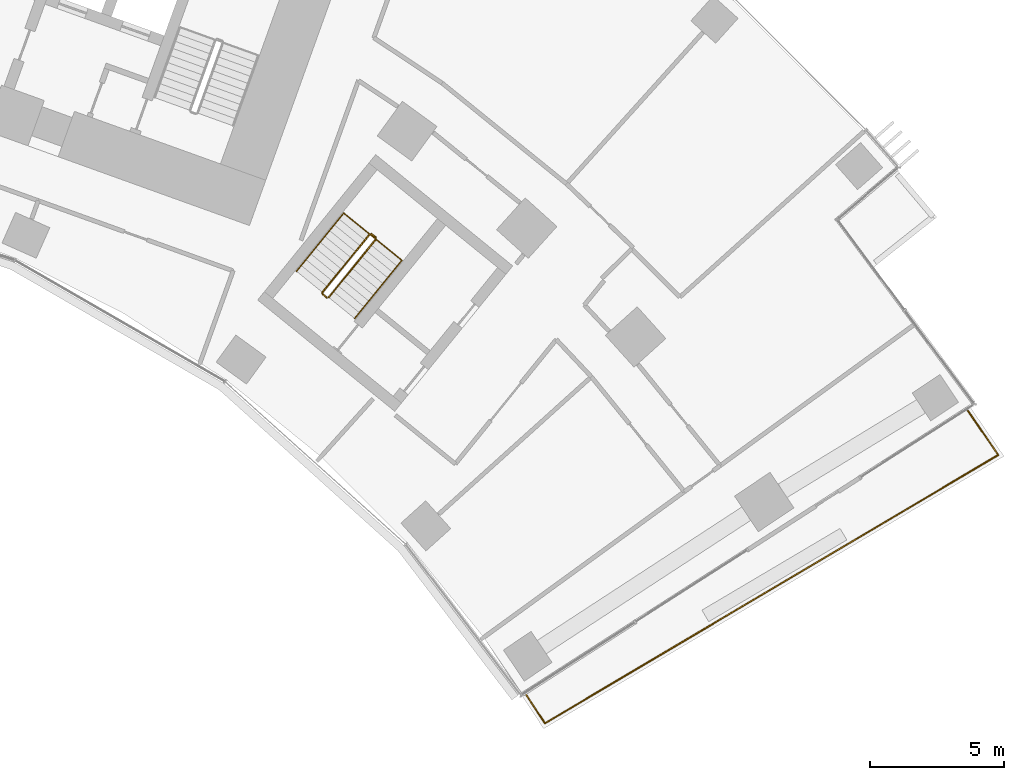
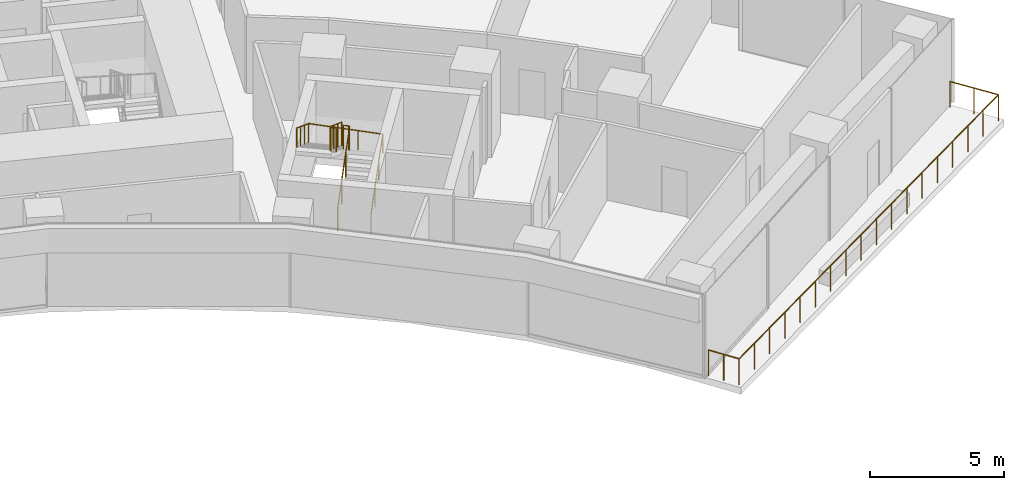
# One storey, part 21 of 21: 4 railings.
"""IFC4 building model written with IfcOpenShell, lengths in metres."""

from ifc_helpers import new_model, si_unit, direction, frame, origin, origin_2d, place, context, subcontext, project, spatial, circle, extrude, material, type_object, element, save


model = new_model("IFC4")

# Units and contexts
model_context = context("Model", 3, precision=1e-05, world=origin(), true_north=direction((0.0, 1.0)))
body_context = subcontext(model_context, "Body", "Model", "MODEL_VIEW")
ifc_project = project(units=[si_unit("LENGTHUNIT", "METRE"), si_unit("AREAUNIT", "SQUARE_METRE"), si_unit("VOLUMEUNIT", "CUBIC_METRE"), si_unit("PLANEANGLEUNIT", "RADIAN"), si_unit("MASSUNIT", "GRAM", prefix="KILO")], contexts=[model_context])

# Site, building, storey
site_placement = place(None, origin())
site = spatial("IfcSite", under=ifc_project, at=site_placement, CompositionType="ELEMENT")
building_placement = place(site_placement, origin())
building = spatial("IfcBuilding", under=site, at=building_placement, Name="Stone Belt Terrace Tower", CompositionType="ELEMENT")
storey_placement = place(building_placement, frame((0.0, 0.0, 45.199951171875)))
storey = spatial("IfcBuildingStorey", under=building, at=storey_placement, Name="L10", CompositionType="ELEMENT", Elevation=45.199951171875)

# Railings
ifc_material_1 = material(Name="Structural steel C345", Category="steel")
railing_type_1 = type_object("IfcRailingType", Name="Stair guard 1100", PredefinedType="GUARDRAIL", material=ifc_material_1)
railing_1_placement = place(storey_placement, frame((29.39794921875, 38.281982421875, 0.1728515625)))
element("IfcRailing", 1, at=railing_1_placement, inside=storey, type_object=railing_type_1, Name="L10 ST3B stair guard 1", PredefinedType="GUARDRAIL", context=body_context, shape_type="SweptSolid", body=[
    extrude(circle(Radius=0.02392578125, at=origin_2d()), frame((0.0, 0.0, 1.076171875), z_axis=(0.536393061503, 0.660769759217, 0.525038864158), x_axis=(-0.776391310223, 0.630251166924, 0.0)), (0.0, 0.0, 1.0), 3.289794921875),
    extrude(circle(Radius=0.02392578125, at=origin_2d()), frame((1.7646484375, 2.173828125, 2.80322265625), z_axis=(-0.103251414163, 0.994655289773, 0.0), x_axis=(-0.994655289773, -0.103251414163, 0.0)), (0.0, 0.0, 1.0), 0.071044921875),
    extrude(circle(Radius=0.02392578125, at=origin_2d()), frame((1.75732421875, 2.244384765625, 2.80322265625), z_axis=(-0.776561986372, 0.630040856868, 0.0), x_axis=(-0.630040856868, -0.776561986372, 0.0)), (0.0, 0.0, 1.0), 0.199951171875),
    extrude(circle(Radius=0.02099609375, at=origin_2d()), origin(), (0.0, 0.0, 1.0), 1.052001953125),
    extrude(circle(Radius=0.02099609375, at=origin_2d()), frame((0.588134765625, 0.724609375, 0.57568359375)), (0.0, 0.0, 1.0), 1.052001953125),
    extrude(circle(Radius=0.02099609375, at=origin_2d()), frame((1.176513671875, 1.44921875, 1.151611328125)), (0.0, 0.0, 1.0), 1.052001953125),
    extrude(circle(Radius=0.02099609375, at=origin_2d()), frame((1.7646484375, 2.173828125, 1.727294921875)), (0.0, 0.0, 1.0), 1.052001953125),
    extrude(circle(Radius=0.02099609375, at=origin_2d()), frame((1.75732421875, 2.244384765625, 1.727294921875)), (0.0, 0.0, 1.0), 1.052001953125),
    extrude(circle(Radius=0.02099609375, at=origin_2d()), frame((1.60205078125, 2.370361328125, 1.727294921875)), (0.0, 0.0, 1.0), 1.052001953125),
])
railing_2_placement = place(storey_placement, frame((30.9296875, 40.64501953125, 2.07275390625)))
element("IfcRailing", 2, at=railing_2_placement, inside=storey, type_object=railing_type_1, Name="L10 ST3B stair guard 2", PredefinedType="GUARDRAIL", context=body_context, shape_type="SweptSolid", body=[
    extrude(circle(Radius=0.02392578125, at=origin_2d()), frame((0.0, 0.0, 1.076171875), z_axis=(-0.536366759382, -0.660811565066, 0.525013118792), x_axis=(0.776425942316, -0.630208502084, 0.0)), (0.0, 0.0, 1.0), 3.2900390625),
    extrude(circle(Radius=0.02392578125, at=origin_2d()), frame((-1.7646484375, -2.174072265625, 2.80322265625), z_axis=(0.103606084259, -0.994618408891, 0.0), x_axis=(0.994618408891, 0.103606084259, 0.0)), (0.0, 0.0, 1.0), 0.07080078125),
    extrude(circle(Radius=0.02392578125, at=origin_2d()), frame((-1.75732421875, -2.244384765625, 2.80322265625), z_axis=(0.776561986372, -0.630040856868, 0.0), x_axis=(0.630040856868, 0.776561986372, 0.0)), (0.0, 0.0, 1.0), 0.199951171875),
    extrude(circle(Radius=0.02099609375, at=origin_2d()), origin(), (0.0, 0.0, 1.0), 1.052001953125),
    extrude(circle(Radius=0.02099609375, at=origin_2d()), frame((-0.588134765625, -0.724609375, 0.57568359375)), (0.0, 0.0, 1.0), 1.052001953125),
    extrude(circle(Radius=0.02099609375, at=origin_2d()), frame((-1.176513671875, -1.449462890625, 1.151611328125)), (0.0, 0.0, 1.0), 1.052001953125),
    extrude(circle(Radius=0.02099609375, at=origin_2d()), frame((-1.7646484375, -2.174072265625, 1.727294921875)), (0.0, 0.0, 1.0), 1.052001953125),
    extrude(circle(Radius=0.02099609375, at=origin_2d()), frame((-1.75732421875, -2.244384765625, 1.727294921875)), (0.0, 0.0, 1.0), 1.052001953125),
    extrude(circle(Radius=0.02099609375, at=origin_2d()), frame((-1.60205078125, -2.370361328125, 1.727294921875)), (0.0, 0.0, 1.0), 1.052001953125),
])
railing_type_2 = type_object("IfcRailingType", Name="Stair handrail 900", PredefinedType="HANDRAIL", material=ifc_material_1)
railing_3_placement = place(storey_placement, frame((30.36865234375, 37.494140625, 0.1728515625)))
element("IfcRailing", 3, at=railing_3_placement, inside=storey, type_object=railing_type_2, Name="L10 ST3B stair handrail 1", PredefinedType="HANDRAIL", context=body_context, shape_type="SweptSolid", body=[
    extrude(circle(Radius=0.02392578125, at=origin_2d()), frame((0.0, 0.0, 0.8759765625), z_axis=(0.536366759382, 0.660811565066, 0.525013118792), x_axis=(-0.776425942316, 0.630208502084, 0.0)), (0.0, 0.0, 1.0), 3.2900390625),
    extrude(circle(Radius=0.02392578125, at=origin_2d()), frame((1.7646484375, 2.174072265625, 2.60302734375), z_axis=(-0.774954966459, 0.629014542119, 0.061526463929), x_axis=(-0.630208502084, -0.776425942316, 0.0)), (0.0, 0.0, 1.0), 2.805419921875),
    extrude(circle(Radius=0.02392578125, at=origin_2d()), frame((-0.409423828125, 3.938720703125, 2.77587890625), z_axis=(-0.536366759382, -0.660811565066, 0.525013118792), x_axis=(0.776425942316, -0.630208502084, 0.0)), (0.0, 0.0, 1.0), 3.2900390625),
    extrude(circle(Radius=0.02099609375, at=origin_2d()), origin(), (0.0, 0.0, 1.0), 0.851806640625),
    extrude(circle(Radius=0.02099609375, at=origin_2d()), frame((0.588134765625, 0.724609375, 0.57568359375)), (0.0, 0.0, 1.0), 0.851806640625),
    extrude(circle(Radius=0.02099609375, at=origin_2d()), frame((1.176513671875, 1.449462890625, 1.151611328125)), (0.0, 0.0, 1.0), 0.851806640625),
    extrude(circle(Radius=0.02099609375, at=origin_2d()), frame((1.7646484375, 2.174072265625, 1.727294921875)), (0.0, 0.0, 1.0), 0.851806640625),
    extrude(circle(Radius=0.02099609375, at=origin_2d()), frame((1.0400390625, 2.76220703125, 1.784912109375)), (0.0, 0.0, 1.0), 0.851806640625),
    extrude(circle(Radius=0.02099609375, at=origin_2d()), frame((0.315185546875, 3.3505859375, 1.84228515625)), (0.0, 0.0, 1.0), 0.851806640625),
    extrude(circle(Radius=0.02099609375, at=origin_2d()), frame((-0.409423828125, 3.938720703125, 1.89990234375)), (0.0, 0.0, 1.0), 0.851806640625),
    extrude(circle(Radius=0.02099609375, at=origin_2d()), frame((-0.99755859375, 3.214111328125, 2.4755859375)), (0.0, 0.0, 1.0), 0.851806640625),
    extrude(circle(Radius=0.02099609375, at=origin_2d()), frame((-1.5859375, 2.4892578125, 3.051513671875)), (0.0, 0.0, 1.0), 0.851806640625),
    extrude(circle(Radius=0.02099609375, at=origin_2d()), frame((-2.174072265625, 1.7646484375, 3.627197265625)), (0.0, 0.0, 1.0), 0.851806640625),
])
ifc_material_2 = material(Name="Stainless steel AISI 304", Category="steel")
railing_type_3 = type_object("IfcRailingType", Name="Terrace guard 1200", PredefinedType="GUARDRAIL", material=ifc_material_2)
railing_4_placement = place(storey_placement, frame((36.7744140625, 23.434326171875, 0.0)))
element("IfcRailing", 4, at=railing_4_placement, inside=storey, type_object=railing_type_3, Name="GUARD L10 1.1", PredefinedType="GUARDRAIL", context=body_context, shape_type="SweptSolid", body=[
    extrude(circle(Radius=0.02490234375, at=origin_2d()), frame((0.0, 0.0, 1.1748046875), z_axis=(0.549083233683, -0.835767672555, 0.0), x_axis=(0.835767672555, 0.549083233683, 0.0)), (0.0, 0.0, 1.0), 1.286865234375),
    extrude(circle(Radius=0.02490234375, at=origin_2d()), frame((0.70654296875, -1.075439453125, 1.1748046875), z_axis=(0.860557389833, 0.509353491011, 0.0), x_axis=(-0.509353491011, 0.860557389833, 0.0)), (0.0, 0.0, 1.0), 19.696533203125),
    extrude(circle(Radius=0.02490234375, at=origin_2d()), frame((17.656494140625, 8.95703125, 1.1748046875), z_axis=(-0.566425401457, 0.824113016876, 0.0), x_axis=(-0.824113016876, -0.566425401457, 0.0)), (0.0, 0.0, 1.0), 2.00390625),
    extrude(circle(Radius=0.02001953125, at=origin_2d()), origin(), (0.0, 0.0, 1.0), 1.14990234375),
    extrude(circle(Radius=0.02001953125, at=origin_2d()), frame((0.353271484375, -0.53759765625, 0.0)), (0.0, 0.0, 1.0), 1.14990234375),
    extrude(circle(Radius=0.02001953125, at=origin_2d()), frame((0.70654296875, -1.075439453125, 0.0)), (0.0, 0.0, 1.0), 1.14990234375),
    extrude(circle(Radius=0.02001953125, at=origin_2d()), frame((1.70361328125, -0.4853515625, 0.0)), (0.0, 0.0, 1.0), 1.14990234375),
    extrude(circle(Radius=0.02001953125, at=origin_2d()), frame((2.70068359375, 0.104736328125, 0.0)), (0.0, 0.0, 1.0), 1.14990234375),
    extrude(circle(Radius=0.02001953125, at=origin_2d()), frame((3.69775390625, 0.695068359375, 0.0)), (0.0, 0.0, 1.0), 1.14990234375),
    extrude(circle(Radius=0.02001953125, at=origin_2d()), frame((4.69482421875, 1.28515625, 0.0)), (0.0, 0.0, 1.0), 1.14990234375),
    extrude(circle(Radius=0.02001953125, at=origin_2d()), frame((5.69189453125, 1.875244140625, 0.0)), (0.0, 0.0, 1.0), 1.14990234375),
    extrude(circle(Radius=0.02001953125, at=origin_2d()), frame((6.68896484375, 2.46533203125, 0.0)), (0.0, 0.0, 1.0), 1.14990234375),
    extrude(circle(Radius=0.02001953125, at=origin_2d()), frame((7.68603515625, 3.0556640625, 0.0)), (0.0, 0.0, 1.0), 1.14990234375),
    extrude(circle(Radius=0.02001953125, at=origin_2d()), frame((8.68310546875, 3.645751953125, 0.0)), (0.0, 0.0, 1.0), 1.14990234375),
    extrude(circle(Radius=0.02001953125, at=origin_2d()), frame((9.679931640625, 4.23583984375, 0.0)), (0.0, 0.0, 1.0), 1.14990234375),
    extrude(circle(Radius=0.02001953125, at=origin_2d()), frame((10.677001953125, 4.825927734375, 0.0)), (0.0, 0.0, 1.0), 1.14990234375),
    extrude(circle(Radius=0.02001953125, at=origin_2d()), frame((11.674072265625, 5.416259765625, 0.0)), (0.0, 0.0, 1.0), 1.14990234375),
    extrude(circle(Radius=0.02001953125, at=origin_2d()), frame((12.671142578125, 6.00634765625, 0.0)), (0.0, 0.0, 1.0), 1.14990234375),
    extrude(circle(Radius=0.02001953125, at=origin_2d()), frame((13.668212890625, 6.596435546875, 0.0)), (0.0, 0.0, 1.0), 1.14990234375),
    extrude(circle(Radius=0.02001953125, at=origin_2d()), frame((14.665283203125, 7.1865234375, 0.0)), (0.0, 0.0, 1.0), 1.14990234375),
    extrude(circle(Radius=0.02001953125, at=origin_2d()), frame((15.662353515625, 7.77685546875, 0.0)), (0.0, 0.0, 1.0), 1.14990234375),
    extrude(circle(Radius=0.02001953125, at=origin_2d()), frame((16.659423828125, 8.366943359375, 0.0)), (0.0, 0.0, 1.0), 1.14990234375),
    extrude(circle(Radius=0.02001953125, at=origin_2d()), frame((17.656494140625, 8.95703125, 0.0)), (0.0, 0.0, 1.0), 1.14990234375),
    extrude(circle(Radius=0.02001953125, at=origin_2d()), frame((17.0888671875, 9.78271484375, 0.0)), (0.0, 0.0, 1.0), 1.14990234375),
    extrude(circle(Radius=0.02001953125, at=origin_2d()), frame((16.521484375, 10.6083984375, 0.0)), (0.0, 0.0, 1.0), 1.14990234375),
])

save(model, "model.ifc")
